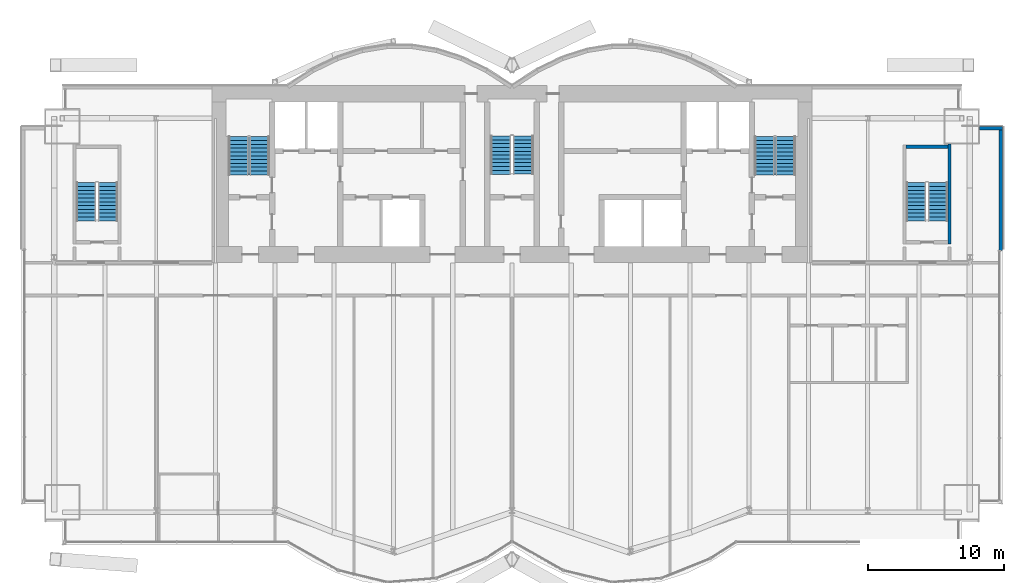
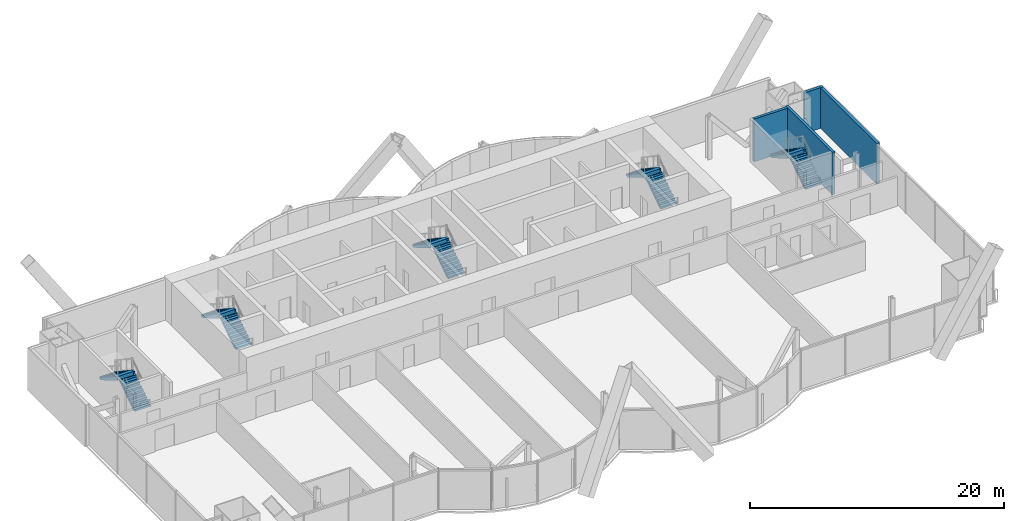
# One storey, part 18 of 21: 10 stair flights, 4 walls, 5 elements without a shape of their own.
"""IFC4 building model written with IfcOpenShell, lengths in metres."""

from ifc_helpers import new_model, si_unit, direction, frame, frame_2d, origin, place, context, subcontext, project, spatial, polyline, rectangle, outline, extrude, material, layer, layer_set, layer_usage, type_object, element, aggregate, save


model = new_model("IFC4")

# Units and contexts
model_context = context("Model", 3, precision=1e-05, world=origin(), true_north=direction((0.0, 1.0)))
body_context = subcontext(model_context, "Body", "Model", "MODEL_VIEW")
ifc_project = project(units=[si_unit("LENGTHUNIT", "METRE"), si_unit("AREAUNIT", "SQUARE_METRE"), si_unit("VOLUMEUNIT", "CUBIC_METRE"), si_unit("PLANEANGLEUNIT", "RADIAN"), si_unit("MASSUNIT", "GRAM", prefix="KILO")], contexts=[model_context])

# Site, building, storey
site_placement = place(None, origin())
site = spatial("IfcSite", under=ifc_project, at=site_placement, CompositionType="ELEMENT")
building_placement = place(site_placement, origin())
building = spatial("IfcBuilding", under=site, at=building_placement, Name="Bicima Exchange Tower", CompositionType="ELEMENT")
storey_placement = place(building_placement, frame((0.0, 0.0, 181.39990234375)))
storey = spatial("IfcBuildingStorey", under=building, at=storey_placement, Name="L40", CompositionType="ELEMENT", Elevation=181.39990234375)

# Walls
ifc_material_1 = material(Name="Concrete C50/60", Category="concrete")
ifc_layer_1 = layer(ifc_material_1, 0.25)
ifc_layer_set_1 = layer_set([ifc_layer_1], Name="Concrete C50/60")
wall_type_1 = type_object("IfcWallType", Name="RC stair enclosure wall 250 C50/60", PredefinedType="SHEAR", material=ifc_layer_set_1)
wall_1_placement = place(storey_placement, frame((32.10009765625, -11.625, 0.0), z_axis=(0.0, 0.0, 1.0), x_axis=(0.0, 1.0, 0.0)))
element("IfcWall", 1, at=wall_1_placement, inside=storey, type_object=wall_type_1, Name="East end exit stair wall E", PredefinedType="SHEAR", context=body_context, shape_type="SweptSolid", body=[
    extrude(rectangle(XDim=7.324951171875, YDim=0.25, at=frame_2d((3.66259765625, 0.0))), origin(), (0.0, 0.0, 1.0), 4.10009765625),
])
wall_2_placement = place(storey_placement, frame((28.925048828125, -4.5, 0.0), z_axis=(0.0, 0.0, 1.0), x_axis=(1.0, 0.0, 0.0)))
element("IfcWall", 2, at=wall_2_placement, inside=storey, type_object=wall_type_1, Name="East end exit stair wall N", PredefinedType="SHEAR", context=body_context, shape_type="SweptSolid", body=[
    extrude(rectangle(XDim=3.050048828125, YDim=0.25, at=frame_2d((1.52490234375, 0.0))), origin(), (0.0, 0.0, 1.0), 4.10009765625),
])
ifc_material_2 = material(Name="Concrete C40/50", Category="concrete")
ifc_layer_2 = layer(ifc_material_2, 0.25)
ifc_layer_set_2 = layer_set([ifc_layer_2], Name="Concrete C40/50")
ifc_layer_usage = layer_usage(ifc_layer_set_2, "AXIS2", "POSITIVE", -0.125)
wall_type_2 = type_object("IfcWallType", Name="Rear backup wall 250", PredefinedType="STANDARD", material=ifc_layer_set_2)
wall_3_placement = place(storey_placement, frame((35.875, -12.090087890625, 0.0), z_axis=(0.0, 0.0, 1.0), x_axis=(0.0, 1.0, 0.0)))
element("IfcWall", 3, at=wall_3_placement, inside=storey, type_object=wall_type_2, material=ifc_layer_usage, Name="Rear backup wall L40 50", PredefinedType="STANDARD", context=body_context, shape_type="SweptSolid", body=[
    extrude(rectangle(XDim=9.090087890625, YDim=0.25, at=frame_2d((4.544921875, 0.0))), origin(), (0.0, 0.0, 1.0), 3.900146484375),
])
wall_4_placement = place(storey_placement, frame((36.0, -3.125, 0.0), z_axis=(0.0, 0.0, 1.0), x_axis=(-1.0, 0.0, 0.0)))
element("IfcWall", 4, at=wall_4_placement, inside=storey, type_object=wall_type_2, material=ifc_layer_usage, Name="Rear backup wall L40 51", PredefinedType="STANDARD", context=body_context, shape_type="SweptSolid", body=[
    extrude(rectangle(XDim=1.699951171875, YDim=0.25, at=frame_2d((0.85009765625, 0.0))), origin(), (0.0, 0.0, 1.0), 3.900146484375),
])

# Stair, stair flights
stair_type_1 = type_object("IfcStairType", Name="Exit stair", PredefinedType="HALF_TURN_STAIR", material=ifc_material_1)
stair_1_placement = place(storey_placement, origin())
stair_1 = element("IfcStair", 5, at=stair_1_placement, inside=storey, type_object=stair_type_1, Name="L40 West exit stair", PredefinedType="HALF_TURN_STAIR")
stair_flight_type_1 = type_object("IfcStairFlightType", Name="Stair flight RC", PredefinedType="STRAIGHT", material=ifc_material_1)
stair_flight_1_placement = place(storey_placement, frame((-18.52490234375, -6.550048828125, 0.0), z_axis=(0.0, 0.0, 1.0), x_axis=(0.0, 1.0, 0.0)))
stair_flight_1 = element("IfcStairFlight", 6, at=stair_flight_1_placement, type_object=stair_flight_type_1, Name="ST-W flight 1", NumberOfRisers=11, NumberOfTreads=10, PredefinedType="STRAIGHT", RiserHeight=0.186363636, TreadLength=0.28, context=body_context, shape_type="SweptSolid", body=[
    extrude(outline(polyline([(0.0, 0.0), (0.0, 0.186279296875), (0.280029296875, 0.186279296875), (0.280029296875, 0.372802734375), (0.56005859375, 0.372802734375), (0.56005859375, 0.55908203125), (0.840087890625, 0.55908203125), (0.840087890625, 0.745361328125), (1.1201171875, 0.745361328125), (1.1201171875, 0.931884765625), (1.39990234375, 0.931884765625), (1.39990234375, 1.1181640625), (1.679931640625, 1.1181640625), (1.679931640625, 1.304443359375), (1.9599609375, 1.304443359375), (1.9599609375, 1.490966796875), (2.239990234375, 1.490966796875), (2.239990234375, 1.67724609375), (2.52001953125, 1.67724609375), (2.52001953125, 1.863525390625), (2.800048828125, 1.863525390625), (2.800048828125, 2.050048828125), (2.800048828125, 1.68359375), (0.2705078125, 0.0), (0.0, 0.0)])), frame((0.0, 0.72509765625, 0.0), z_axis=(0.0, -1.0, 0.0), x_axis=(1.0, 0.0, 0.0)), (0.0, 0.0, 1.0), 1.449951171875),
])
stair_flight_2_placement = place(storey_placement, frame((-20.074951171875, -3.75, 2.050048828125), z_axis=(0.0, 0.0, 1.0), x_axis=(0.0, -1.0, 0.0)))
stair_flight_2 = element("IfcStairFlight", 7, at=stair_flight_2_placement, type_object=stair_flight_type_1, Name="ST-W flight 2", NumberOfRisers=11, NumberOfTreads=10, PredefinedType="STRAIGHT", RiserHeight=0.186363636, TreadLength=0.28, context=body_context, shape_type="SweptSolid", body=[
    extrude(outline(polyline([(0.0, 0.0), (0.0, 0.186279296875), (0.280029296875, 0.186279296875), (0.280029296875, 0.372802734375), (0.56005859375, 0.372802734375), (0.56005859375, 0.55908203125), (0.840087890625, 0.55908203125), (0.840087890625, 0.745361328125), (1.1201171875, 0.745361328125), (1.1201171875, 0.931884765625), (1.39990234375, 0.931884765625), (1.39990234375, 1.1181640625), (1.679931640625, 1.1181640625), (1.679931640625, 1.304443359375), (1.9599609375, 1.304443359375), (1.9599609375, 1.490966796875), (2.239990234375, 1.490966796875), (2.239990234375, 1.67724609375), (2.52001953125, 1.67724609375), (2.52001953125, 1.863525390625), (2.800048828125, 1.863525390625), (2.81494140625, 1.863525390625), (2.81494140625, 1.507080078125), (0.2705078125, 0.0), (0.0, 0.0)])), frame((0.0, 0.72509765625, 0.0), z_axis=(0.0, -1.0, 0.0), x_axis=(1.0, 0.0, 0.0)), (0.0, 0.0, 1.0), 1.449951171875),
])
aggregate(stair_1, [stair_flight_1, stair_flight_2])

stair_2_placement = place(storey_placement, origin())
stair_2 = element("IfcStair", 8, at=stair_2_placement, inside=storey, type_object=stair_type_1, Name="L40 East exit stair", PredefinedType="HALF_TURN_STAIR")
stair_flight_3_placement = place(storey_placement, frame((20.074951171875, -6.550048828125, 0.0), z_axis=(0.0, 0.0, 1.0), x_axis=(0.0, 1.0, 0.0)))
stair_flight_3 = element("IfcStairFlight", 9, at=stair_flight_3_placement, type_object=stair_flight_type_1, Name="ST-E flight 1", NumberOfRisers=11, NumberOfTreads=10, PredefinedType="STRAIGHT", RiserHeight=0.186363636, TreadLength=0.28, context=body_context, shape_type="SweptSolid", body=[
    extrude(outline(polyline([(0.0, 0.0), (0.0, 0.186279296875), (0.280029296875, 0.186279296875), (0.280029296875, 0.372802734375), (0.56005859375, 0.372802734375), (0.56005859375, 0.55908203125), (0.840087890625, 0.55908203125), (0.840087890625, 0.745361328125), (1.1201171875, 0.745361328125), (1.1201171875, 0.931884765625), (1.39990234375, 0.931884765625), (1.39990234375, 1.1181640625), (1.679931640625, 1.1181640625), (1.679931640625, 1.304443359375), (1.9599609375, 1.304443359375), (1.9599609375, 1.490966796875), (2.239990234375, 1.490966796875), (2.239990234375, 1.67724609375), (2.52001953125, 1.67724609375), (2.52001953125, 1.863525390625), (2.800048828125, 1.863525390625), (2.800048828125, 2.050048828125), (2.800048828125, 1.68359375), (0.2705078125, 0.0), (0.0, 0.0)])), frame((0.0, 0.72509765625, 0.0), z_axis=(0.0, -1.0, 0.0), x_axis=(1.0, 0.0, 0.0)), (0.0, 0.0, 1.0), 1.449951171875),
])
stair_flight_4_placement = place(storey_placement, frame((18.52490234375, -3.75, 2.050048828125), z_axis=(0.0, 0.0, 1.0), x_axis=(0.0, -1.0, 0.0)))
stair_flight_4 = element("IfcStairFlight", 10, at=stair_flight_4_placement, type_object=stair_flight_type_1, Name="ST-E flight 2", NumberOfRisers=11, NumberOfTreads=10, PredefinedType="STRAIGHT", RiserHeight=0.186363636, TreadLength=0.28, context=body_context, shape_type="SweptSolid", body=[
    extrude(outline(polyline([(0.0, 0.0), (0.0, 0.186279296875), (0.280029296875, 0.186279296875), (0.280029296875, 0.372802734375), (0.56005859375, 0.372802734375), (0.56005859375, 0.55908203125), (0.840087890625, 0.55908203125), (0.840087890625, 0.745361328125), (1.1201171875, 0.745361328125), (1.1201171875, 0.931884765625), (1.39990234375, 0.931884765625), (1.39990234375, 1.1181640625), (1.679931640625, 1.1181640625), (1.679931640625, 1.304443359375), (1.9599609375, 1.304443359375), (1.9599609375, 1.490966796875), (2.239990234375, 1.490966796875), (2.239990234375, 1.67724609375), (2.52001953125, 1.67724609375), (2.52001953125, 1.863525390625), (2.800048828125, 1.863525390625), (2.81494140625, 1.863525390625), (2.81494140625, 1.507080078125), (0.2705078125, 0.0), (0.0, 0.0)])), frame((0.0, 0.72509765625, 0.0), z_axis=(0.0, -1.0, 0.0), x_axis=(1.0, 0.0, 0.0)), (0.0, 0.0, 1.0), 1.449951171875),
])
aggregate(stair_2, [stair_flight_3, stair_flight_4])

stair_3_placement = place(storey_placement, origin())
stair_3 = element("IfcStair", 11, at=stair_3_placement, inside=storey, type_object=stair_type_1, Name="L40 West end exit stair", PredefinedType="HALF_TURN_STAIR")
stair_flight_5_placement = place(storey_placement, frame((-29.64990234375, -9.925048828125, 0.0), z_axis=(0.0, 0.0, 1.0), x_axis=(0.0, 1.0, 0.0)))
stair_flight_5 = element("IfcStairFlight", 12, at=stair_flight_5_placement, type_object=stair_flight_type_1, Name="ST-WW flight 1", NumberOfRisers=11, NumberOfTreads=10, PredefinedType="STRAIGHT", RiserHeight=0.186363636, TreadLength=0.28, context=body_context, shape_type="SweptSolid", body=[
    extrude(outline(polyline([(0.0, 0.0), (0.0, 0.186279296875), (0.280029296875, 0.186279296875), (0.280029296875, 0.372802734375), (0.56005859375, 0.372802734375), (0.56005859375, 0.55908203125), (0.840087890625, 0.55908203125), (0.840087890625, 0.745361328125), (1.1201171875, 0.745361328125), (1.1201171875, 0.931884765625), (1.39990234375, 0.931884765625), (1.39990234375, 1.1181640625), (1.679931640625, 1.1181640625), (1.679931640625, 1.304443359375), (1.9599609375, 1.304443359375), (1.9599609375, 1.490966796875), (2.239990234375, 1.490966796875), (2.239990234375, 1.67724609375), (2.52001953125, 1.67724609375), (2.52001953125, 1.863525390625), (2.800048828125, 1.863525390625), (2.800048828125, 2.050048828125), (2.800048828125, 1.68359375), (0.2705078125, 0.0), (0.0, 0.0)])), frame((0.0, 0.72509765625, 0.0), z_axis=(0.0, -1.0, 0.0), x_axis=(1.0, 0.0, 0.0)), (0.0, 0.0, 1.0), 1.449951171875),
])
stair_flight_6_placement = place(storey_placement, frame((-31.25, -7.125, 2.050048828125), z_axis=(0.0, 0.0, 1.0), x_axis=(0.0, -1.0, 0.0)))
stair_flight_6 = element("IfcStairFlight", 13, at=stair_flight_6_placement, type_object=stair_flight_type_1, Name="ST-WW flight 2", NumberOfRisers=11, NumberOfTreads=10, PredefinedType="STRAIGHT", RiserHeight=0.186363636, TreadLength=0.28, context=body_context, shape_type="SweptSolid", body=[
    extrude(outline(polyline([(0.0, 0.0), (0.0, 0.186279296875), (0.280029296875, 0.186279296875), (0.280029296875, 0.372802734375), (0.56005859375, 0.372802734375), (0.56005859375, 0.55908203125), (0.840087890625, 0.55908203125), (0.840087890625, 0.745361328125), (1.1201171875, 0.745361328125), (1.1201171875, 0.931884765625), (1.39990234375, 0.931884765625), (1.39990234375, 1.1181640625), (1.679931640625, 1.1181640625), (1.679931640625, 1.304443359375), (1.9599609375, 1.304443359375), (1.9599609375, 1.490966796875), (2.239990234375, 1.490966796875), (2.239990234375, 1.67724609375), (2.52001953125, 1.67724609375), (2.52001953125, 1.863525390625), (2.800048828125, 1.863525390625), (2.81494140625, 1.863525390625), (2.81494140625, 1.507080078125), (0.2705078125, 0.0), (0.0, 0.0)])), frame((0.0, 0.72509765625, 0.0), z_axis=(0.0, -1.0, 0.0), x_axis=(1.0, 0.0, 0.0)), (0.0, 0.0, 1.0), 1.449951171875),
])
aggregate(stair_3, [stair_flight_5, stair_flight_6])

stair_4_placement = place(storey_placement, origin())
stair_4 = element("IfcStair", 14, at=stair_4_placement, inside=storey, type_object=stair_type_1, Name="L40 East end exit stair", PredefinedType="HALF_TURN_STAIR")
stair_flight_7_placement = place(storey_placement, frame((31.25, -9.925048828125, 0.0), z_axis=(0.0, 0.0, 1.0), x_axis=(0.0, 1.0, 0.0)))
stair_flight_7 = element("IfcStairFlight", 15, at=stair_flight_7_placement, type_object=stair_flight_type_1, Name="ST-EE flight 1", NumberOfRisers=11, NumberOfTreads=10, PredefinedType="STRAIGHT", RiserHeight=0.186363636, TreadLength=0.28, context=body_context, shape_type="SweptSolid", body=[
    extrude(outline(polyline([(0.0, 0.0), (0.0, 0.186279296875), (0.280029296875, 0.186279296875), (0.280029296875, 0.372802734375), (0.56005859375, 0.372802734375), (0.56005859375, 0.55908203125), (0.840087890625, 0.55908203125), (0.840087890625, 0.745361328125), (1.1201171875, 0.745361328125), (1.1201171875, 0.931884765625), (1.39990234375, 0.931884765625), (1.39990234375, 1.1181640625), (1.679931640625, 1.1181640625), (1.679931640625, 1.304443359375), (1.9599609375, 1.304443359375), (1.9599609375, 1.490966796875), (2.239990234375, 1.490966796875), (2.239990234375, 1.67724609375), (2.52001953125, 1.67724609375), (2.52001953125, 1.863525390625), (2.800048828125, 1.863525390625), (2.800048828125, 2.050048828125), (2.800048828125, 1.68359375), (0.2705078125, 0.0), (0.0, 0.0)])), frame((0.0, 0.72509765625, 0.0), z_axis=(0.0, -1.0, 0.0), x_axis=(1.0, 0.0, 0.0)), (0.0, 0.0, 1.0), 1.449951171875),
])
stair_flight_8_placement = place(storey_placement, frame((29.64990234375, -7.125, 2.050048828125), z_axis=(0.0, 0.0, 1.0), x_axis=(0.0, -1.0, 0.0)))
stair_flight_8 = element("IfcStairFlight", 16, at=stair_flight_8_placement, type_object=stair_flight_type_1, Name="ST-EE flight 2", NumberOfRisers=11, NumberOfTreads=10, PredefinedType="STRAIGHT", RiserHeight=0.186363636, TreadLength=0.28, context=body_context, shape_type="SweptSolid", body=[
    extrude(outline(polyline([(0.0, 0.0), (0.0, 0.186279296875), (0.280029296875, 0.186279296875), (0.280029296875, 0.372802734375), (0.56005859375, 0.372802734375), (0.56005859375, 0.55908203125), (0.840087890625, 0.55908203125), (0.840087890625, 0.745361328125), (1.1201171875, 0.745361328125), (1.1201171875, 0.931884765625), (1.39990234375, 0.931884765625), (1.39990234375, 1.1181640625), (1.679931640625, 1.1181640625), (1.679931640625, 1.304443359375), (1.9599609375, 1.304443359375), (1.9599609375, 1.490966796875), (2.239990234375, 1.490966796875), (2.239990234375, 1.67724609375), (2.52001953125, 1.67724609375), (2.52001953125, 1.863525390625), (2.800048828125, 1.863525390625), (2.81494140625, 1.863525390625), (2.81494140625, 1.507080078125), (0.2705078125, 0.0), (0.0, 0.0)])), frame((0.0, 0.72509765625, 0.0), z_axis=(0.0, -1.0, 0.0), x_axis=(1.0, 0.0, 0.0)), (0.0, 0.0, 1.0), 1.449951171875),
])
aggregate(stair_4, [stair_flight_7, stair_flight_8])

stair_type_2 = type_object("IfcStairType", Name="Exit stair 1500", PredefinedType="HALF_TURN_STAIR", material=ifc_material_1)
stair_5_placement = place(storey_placement, origin())
stair_5 = element("IfcStair", 17, at=stair_5_placement, inside=storey, type_object=stair_type_2, Name="L40 Central exit stair", PredefinedType="HALF_TURN_STAIR")
stair_flight_type_2 = type_object("IfcStairFlightType", Name="Stair flight RC 1500", PredefinedType="STRAIGHT", material=ifc_material_1)
stair_flight_9_placement = place(storey_placement, frame((0.824951171875, -6.5, 0.0), z_axis=(0.0, 0.0, 1.0), x_axis=(0.0, 1.0, 0.0)))
stair_flight_9 = element("IfcStairFlight", 18, at=stair_flight_9_placement, type_object=stair_flight_type_2, Name="ST-C flight 1", NumberOfRisers=11, NumberOfTreads=10, PredefinedType="STRAIGHT", RiserHeight=0.186363636, TreadLength=0.28, context=body_context, shape_type="SweptSolid", body=[
    extrude(outline(polyline([(0.0, 0.0), (0.0, 0.186279296875), (0.280029296875, 0.186279296875), (0.280029296875, 0.372802734375), (0.56005859375, 0.372802734375), (0.56005859375, 0.55908203125), (0.840087890625, 0.55908203125), (0.840087890625, 0.745361328125), (1.1201171875, 0.745361328125), (1.1201171875, 0.931884765625), (1.39990234375, 0.931884765625), (1.39990234375, 1.1181640625), (1.679931640625, 1.1181640625), (1.679931640625, 1.304443359375), (1.9599609375, 1.304443359375), (1.9599609375, 1.490966796875), (2.239990234375, 1.490966796875), (2.239990234375, 1.67724609375), (2.52001953125, 1.67724609375), (2.52001953125, 1.863525390625), (2.800048828125, 1.863525390625), (2.800048828125, 2.050048828125), (2.800048828125, 1.68359375), (0.2705078125, 0.0), (0.0, 0.0)])), frame((0.0, 0.75, 0.0), z_axis=(0.0, -1.0, 0.0), x_axis=(1.0, 0.0, 0.0)), (0.0, 0.0, 1.0), 1.5),
])
stair_flight_10_placement = place(storey_placement, frame((-0.824951171875, -3.699951171875, 2.050048828125), z_axis=(0.0, 0.0, 1.0), x_axis=(0.0, -1.0, 0.0)))
stair_flight_10 = element("IfcStairFlight", 19, at=stair_flight_10_placement, type_object=stair_flight_type_2, Name="ST-C flight 2", NumberOfRisers=11, NumberOfTreads=10, PredefinedType="STRAIGHT", RiserHeight=0.186363636, TreadLength=0.28, context=body_context, shape_type="SweptSolid", body=[
    extrude(outline(polyline([(0.0, 0.0), (0.0, 0.186279296875), (0.280029296875, 0.186279296875), (0.280029296875, 0.372802734375), (0.56005859375, 0.372802734375), (0.56005859375, 0.55908203125), (0.840087890625, 0.55908203125), (0.840087890625, 0.745361328125), (1.1201171875, 0.745361328125), (1.1201171875, 0.931884765625), (1.39990234375, 0.931884765625), (1.39990234375, 1.1181640625), (1.679931640625, 1.1181640625), (1.679931640625, 1.304443359375), (1.9599609375, 1.304443359375), (1.9599609375, 1.490966796875), (2.239990234375, 1.490966796875), (2.239990234375, 1.67724609375), (2.52001953125, 1.67724609375), (2.52001953125, 1.863525390625), (2.800048828125, 1.863525390625), (2.81494140625, 1.863525390625), (2.81494140625, 1.507080078125), (0.2705078125, 0.0), (0.0, 0.0)])), frame((0.0, 0.75, 0.0), z_axis=(0.0, -1.0, 0.0), x_axis=(1.0, 0.0, 0.0)), (0.0, 0.0, 1.0), 1.5),
])
aggregate(stair_5, [stair_flight_9, stair_flight_10])

save(model, "model.ifc")
